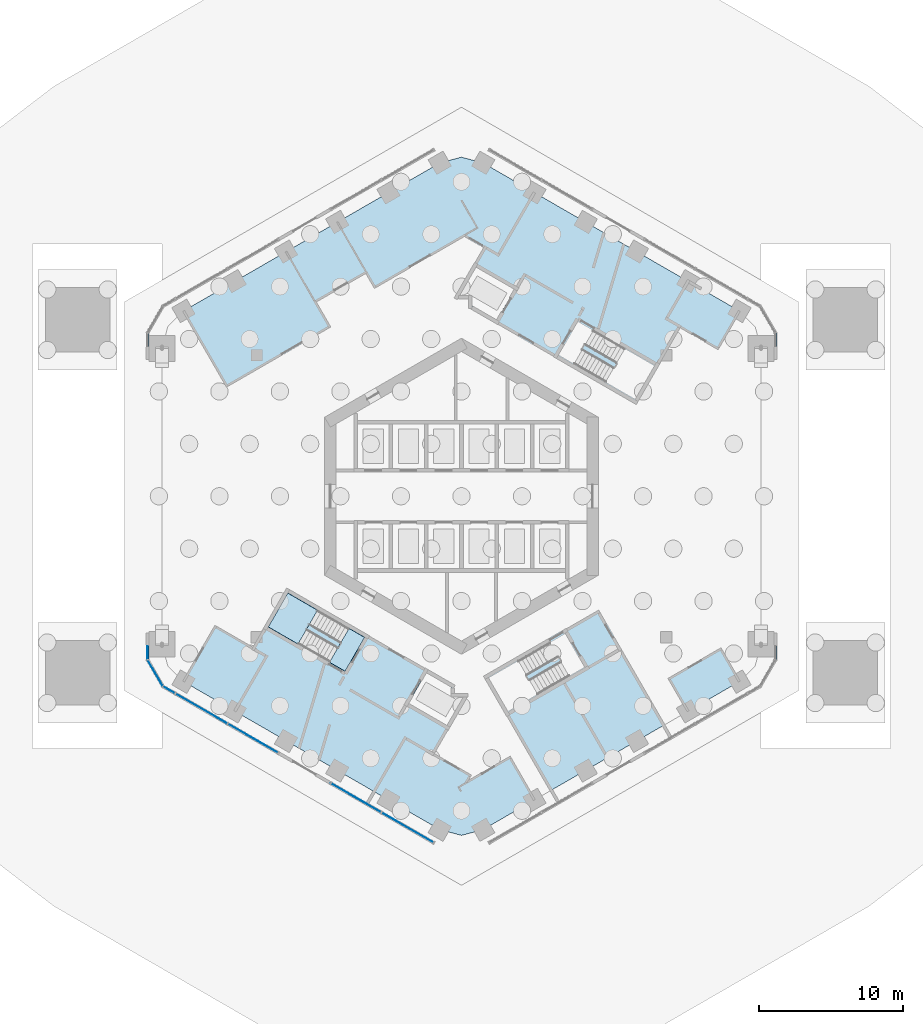
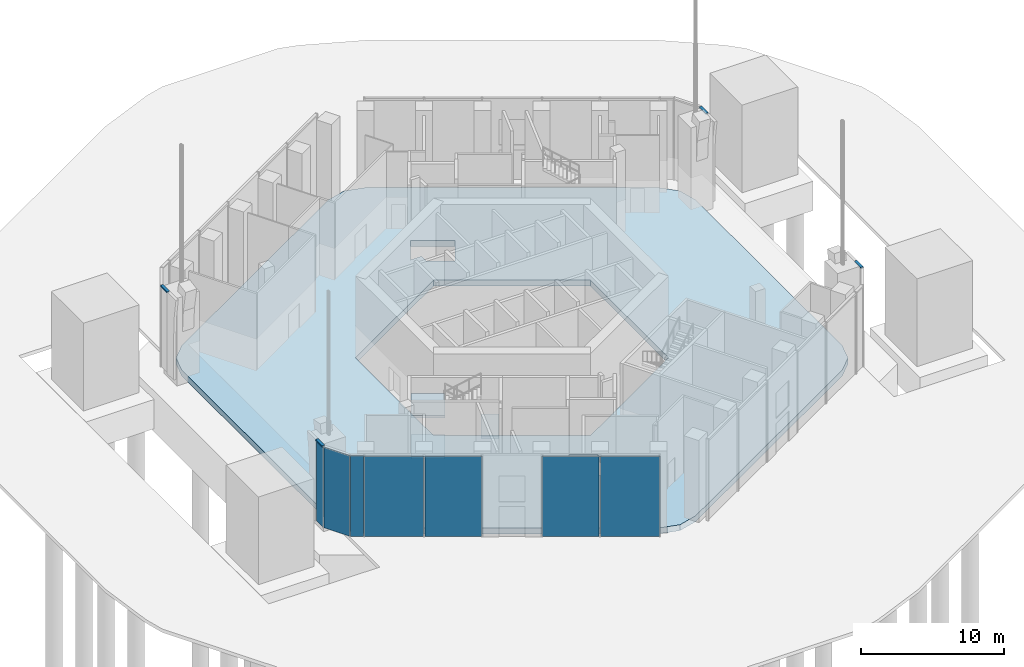
# One storey, part 6 of 18: 7 plates, 4 members, 4 slabs, 7 elements without a shape of their own.
"""IFC4 building model written with IfcOpenShell, lengths in metres."""

from ifc_helpers import new_model, si_unit, direction, frame, origin, origin_2d, place, context, subcontext, project, spatial, polyline, rectangle, outline, extrude, material, layer, layer_set, material_profile, profile_set, type_object, element, aggregate, save


model = new_model("IFC4")

# Units and contexts
model_context = context("Model", 3, precision=1e-05, world=origin(), true_north=direction((0.0, 1.0)))
body_context = subcontext(model_context, "Body", "Model", "MODEL_VIEW")
ifc_project = project(units=[si_unit("LENGTHUNIT", "METRE"), si_unit("AREAUNIT", "SQUARE_METRE"), si_unit("VOLUMEUNIT", "CUBIC_METRE"), si_unit("PLANEANGLEUNIT", "RADIAN"), si_unit("MASSUNIT", "GRAM", prefix="KILO")], contexts=[model_context])

# Site, building, storey
site_placement = place(None, origin())
site = spatial("IfcSite", under=ifc_project, at=site_placement, CompositionType="ELEMENT")
building_placement = place(site_placement, origin())
building = spatial("IfcBuilding", under=site, at=building_placement, Name="Ayvan Gate Tower", CompositionType="ELEMENT")
storey_placement = place(building_placement, origin())
storey = spatial("IfcBuildingStorey", under=building, at=storey_placement, Name="L00", CompositionType="ELEMENT", Elevation=0.0)

# Curtain wall, member
ifc_material_1 = material(Name="Bronze anodised aluminium", Category="aluminium")
ifc_layer_1 = layer(ifc_material_1, 0.199951171875)
ifc_layer_set_1 = layer_set([ifc_layer_1], Name="Bronze anodised aluminium")
curtain_wall_type_1 = type_object("IfcCurtainWallType", Name="Stick curtain wall CW-6", PredefinedType="NOTDEFINED", material=ifc_layer_set_1)
curtain_wall_1_placement = place(storey_placement, origin())
curtain_wall_1 = element("IfcCurtainWall", 1, at=curtain_wall_1_placement, inside=storey, type_object=curtain_wall_type_1, Name="Stick curtain wall CW-6 L00", PredefinedType="NOTDEFINED")
ifc_material_profile = material_profile(ifc_material_1, rectangle(XDim=0.199951171875, YDim=0.1201171875, at=origin_2d()), Name="Stick curtain wall CW-6 transom 200 x 120")
ifc_profile_set = profile_set([ifc_material_profile], Name="Bronze anodised aluminium")
member_type = type_object("IfcMemberType", Name="Stick curtain wall CW-6 transom 200 x 120", PredefinedType="USERDEFINED", material=ifc_profile_set)
member_1_placement = place(storey_placement, frame((-21.78466796875, 11.32470703125, 6.93994140625), z_axis=(0.0, -1.0, 0.0), x_axis=(1.0, 0.0, 0.0)))
member_1 = element("IfcMember", 2, at=member_1_placement, type_object=member_type, Name="CW-6 transom 3", ObjectType="TRANSOM", PredefinedType="USERDEFINED", context=body_context, shape_type="SweptSolid", body=[
    extrude(rectangle(XDim=0.199951171875, YDim=0.1201171875, at=origin_2d()), origin(), (0.0, 0.0, 1.0), 0.925048828125),
])
aggregate(curtain_wall_1, [member_1])

curtain_wall_2_placement = place(storey_placement, origin())
curtain_wall_2 = element("IfcCurtainWall", 3, at=curtain_wall_2_placement, inside=storey, type_object=curtain_wall_type_1, Name="Stick curtain wall CW-6 L00", PredefinedType="NOTDEFINED")
member_2_placement = place(storey_placement, frame((-21.78466796875, -10.399658203125, 6.93994140625), z_axis=(0.0, -1.0, 0.0), x_axis=(1.0, 0.0, 0.0)))
member_2 = element("IfcMember", 4, at=member_2_placement, type_object=member_type, Name="CW-6 transom 1", ObjectType="TRANSOM", PredefinedType="USERDEFINED", context=body_context, shape_type="SweptSolid", body=[
    extrude(rectangle(XDim=0.199951171875, YDim=0.1201171875, at=origin_2d()), origin(), (0.0, 0.0, 1.0), 0.925048828125),
])

curtain_wall_3_placement = place(storey_placement, origin())
curtain_wall_3 = element("IfcCurtainWall", 5, at=curtain_wall_3_placement, inside=storey, type_object=curtain_wall_type_1, Name="Stick curtain wall CW-6 L00", PredefinedType="NOTDEFINED")
member_3_placement = place(storey_placement, frame((21.78466796875, -11.32470703125, 6.93994140625), z_axis=(0.0, 1.0, 0.0), x_axis=(-1.0, 0.0, 0.0)))
member_3 = element("IfcMember", 6, at=member_3_placement, type_object=member_type, Name="CW-6 transom 3", ObjectType="TRANSOM", PredefinedType="USERDEFINED", context=body_context, shape_type="SweptSolid", body=[
    extrude(rectangle(XDim=0.199951171875, YDim=0.1201171875, at=origin_2d()), origin(), (0.0, 0.0, 1.0), 0.925048828125),
])
aggregate(curtain_wall_3, [member_3])

curtain_wall_4_placement = place(storey_placement, origin())
curtain_wall_4 = element("IfcCurtainWall", 7, at=curtain_wall_4_placement, inside=storey, type_object=curtain_wall_type_1, Name="Stick curtain wall CW-6 L00", PredefinedType="NOTDEFINED")
member_4_placement = place(storey_placement, frame((21.78466796875, 10.399658203125, 6.93994140625), z_axis=(0.0, 1.0, 0.0), x_axis=(-1.0, 0.0, 0.0)))
member_4 = element("IfcMember", 8, at=member_4_placement, type_object=member_type, Name="CW-6 transom 1", ObjectType="TRANSOM", PredefinedType="USERDEFINED", context=body_context, shape_type="SweptSolid", body=[
    extrude(rectangle(XDim=0.199951171875, YDim=0.1201171875, at=origin_2d()), origin(), (0.0, 0.0, 1.0), 0.925048828125),
])
aggregate(curtain_wall_4, [member_4])

# Slab
ifc_material_2 = material(Name="Concrete C40/50", Category="concrete")
ifc_layer_2 = layer(ifc_material_2, 0.5)
ifc_layer_set_2 = layer_set([ifc_layer_2], Name="Concrete C40/50")
slab_type_1 = type_object("IfcSlabType", Name="Ground slab 500", PredefinedType="BASESLAB", material=ifc_layer_set_2)
slab_1_placement = place(storey_placement, frame((0.0, 0.0, -0.5)))
element("IfcSlab", 9, at=slab_1_placement, inside=storey, type_object=slab_type_1, Name="SL-L00", PredefinedType="BASESLAB", context=body_context, shape_type="SweptSolid", body=[
    extrude(outline(polyline([(-1.5, 23.134033203125), (0.0, 23.535888671875), (1.5, 23.134033203125), (19.28466796875, 12.865966796875), (20.382568359375, 11.76806640625), (20.78466796875, 10.26806640625), (20.78466796875, -10.26806640625), (20.382568359375, -11.76806640625), (19.28466796875, -12.865966796875), (1.5, -23.134033203125), (0.0, -23.535888671875), (-1.5, -23.134033203125), (-19.28466796875, -12.865966796875), (-20.382568359375, -11.76806640625), (-20.78466796875, -10.26806640625), (-20.78466796875, 10.26806640625), (-20.382568359375, 11.76806640625), (-19.28466796875, 12.865966796875), (-1.5, 23.134033203125)]), holes=[polyline([(-9.5, -5.48486328125), (0.0, -10.9697265625), (9.5, -5.48486328125), (9.5, 5.48486328125), (0.0, 10.9697265625), (-9.5, 5.48486328125), (-9.5, -5.48486328125)]), polyline([(-0.16748046875, 13.909912109375), (0.699951171875, 13.909912109375), (0.699951171875, 13.221435546875), (2.435791015625, 12.218994140625), (3.685791015625, 14.38427734375), (1.001220703125, 15.93408203125), (-0.16748046875, 13.909912109375)]), polyline([(-3.685791015625, -14.38427734375), (-1.001220703125, -15.93408203125), (0.16748046875, -13.909912109375), (-0.699951171875, -13.909912109375), (-0.699951171875, -13.221435546875), (-2.435791015625, -12.218994140625), (-3.685791015625, -14.38427734375)])]), origin(), (0.0, 0.0, 1.0), 0.5),
])

# Stair, slabs
stair_type = type_object("IfcStairType", Name="ST-EXIT", PredefinedType="HALF_TURN_STAIR", material=ifc_material_2)
stair_placement = place(storey_placement, origin())
stair = element("IfcStair", 10, at=stair_placement, inside=storey, type_object=stair_type, Name="L00 Exit Stair S2", PredefinedType="HALF_TURN_STAIR")
ifc_layer_3 = layer(ifc_material_2, 0.199951171875)
ifc_layer_set_3 = layer_set([ifc_layer_3], Name="Concrete C40/50")
slab_type_2 = type_object("IfcSlabType", Name="SL-LANDING-200", PredefinedType="LANDING", material=ifc_layer_set_3)
slab_2_placement = place(storey_placement, frame((0.0, 0.0, 1.550048828125)))
slab_2 = element("IfcSlab", 11, at=slab_2_placement, type_object=slab_type_2, Name="STS2 landing 1", PredefinedType="LANDING", context=body_context, shape_type="SweptSolid", body=[
    extrude(outline(polyline([(-9.988525390625, -7.91064453125), (-12.049560546875, -6.720458984375), (-13.404541015625, -9.0673828125), (-11.343505859375, -10.257568359375), (-9.988525390625, -7.91064453125)])), origin(), (0.0, 0.0, 1.0), 0.199951171875),
])
slab_3_placement = place(storey_placement, frame((0.0, 0.0, 3.300048828125)))
slab_3 = element("IfcSlab", 12, at=slab_3_placement, type_object=slab_type_2, Name="STS2 landing 2", PredefinedType="LANDING", context=body_context, shape_type="SweptSolid", body=[
    extrude(outline(polyline([(-6.7236328125, -9.795654296875), (-7.80615234375, -9.170654296875), (-9.1611328125, -11.517578125), (-8.07861328125, -12.142578125), (-6.7236328125, -9.795654296875)])), origin(), (0.0, 0.0, 1.0), 0.199951171875),
])
slab_4_placement = place(storey_placement, frame((0.0, 0.0, 5.050048828125)))
slab_4 = element("IfcSlab", 13, at=slab_4_placement, type_object=slab_type_2, Name="STS2 landing 3", PredefinedType="LANDING", context=body_context, shape_type="SweptSolid", body=[
    extrude(outline(polyline([(-9.988525390625, -7.91064453125), (-12.049560546875, -6.720458984375), (-13.404541015625, -9.0673828125), (-11.343505859375, -10.257568359375), (-9.988525390625, -7.91064453125)])), origin(), (0.0, 0.0, 1.0), 0.199951171875),
])
aggregate(stair, [slab_2, slab_3, slab_4])

# Curtain wall, plates
ifc_layer_4 = layer(ifc_material_1, 0.199951171875)
ifc_layer_set_4 = layer_set([ifc_layer_4], Name="Bronze anodised aluminium")
curtain_wall_type_2 = type_object("IfcCurtainWallType", Name="Stick curtain wall CW-3", PredefinedType="NOTDEFINED", material=ifc_layer_set_4)
curtain_wall_5_placement = place(storey_placement, origin())
curtain_wall_5 = element("IfcCurtainWall", 14, at=curtain_wall_5_placement, inside=storey, type_object=curtain_wall_type_2, Name="Stick curtain wall CW-3 L00", PredefinedType="NOTDEFINED")
ifc_material_3 = material(Name="Clear low-iron laminated glass", Category="glass")
ifc_layer_5 = layer(ifc_material_3, 0.028076171875)
ifc_layer_set_5 = layer_set([ifc_layer_5], Name="Clear low-iron laminated glass")
plate_type_1 = type_object("IfcPlateType", Name="Stick curtain wall CW-3 glass panel", PredefinedType="CURTAIN_PANEL", material=ifc_layer_set_5)
plate_1_placement = place(storey_placement, frame((-18.06298828125, -14.72607421875, 0.0), z_axis=(0.0, 0.0, 1.0), x_axis=(0.866025403784, -0.5, 0.0)))
plate_1 = element("IfcPlate", 15, at=plate_1_placement, type_object=plate_type_1, Name="CW-3 glass panel 1", PredefinedType="CURTAIN_PANEL", context=body_context, shape_type="SweptSolid", body=[
    extrude(rectangle(XDim=4.138916015625, YDim=0.028076171875, at=origin_2d()), origin(), (0.0, 0.0, 1.0), 6.840087890625),
])
plate_2_placement = place(storey_placement, frame((-14.44921875, -16.8125, 0.0), z_axis=(0.0, 0.0, 1.0), x_axis=(0.866025403784, -0.5, 0.0)))
plate_2 = element("IfcPlate", 16, at=plate_2_placement, type_object=plate_type_1, Name="CW-3 glass panel 2", PredefinedType="CURTAIN_PANEL", context=body_context, shape_type="SweptSolid", body=[
    extrude(rectangle(XDim=4.007080078125, YDim=0.028076171875, at=origin_2d()), origin(), (0.0, 0.0, 1.0), 6.840087890625),
])
aggregate(curtain_wall_5, [plate_1, plate_2])

curtain_wall_6_placement = place(storey_placement, origin())
curtain_wall_6 = element("IfcCurtainWall", 17, at=curtain_wall_6_placement, inside=storey, type_object=curtain_wall_type_2, Name="Stick curtain wall CW-3 L00", PredefinedType="NOTDEFINED")
plate_3_placement = place(storey_placement, frame((-7.335693359375, -20.91943359375, 0.0), z_axis=(0.0, 0.0, 1.0), x_axis=(0.866025403784, -0.5, 0.0)))
plate_3 = element("IfcPlate", 18, at=plate_3_placement, type_object=plate_type_1, Name="CW-3 glass panel 1", PredefinedType="CURTAIN_PANEL", context=body_context, shape_type="SweptSolid", body=[
    extrude(rectangle(XDim=4.007080078125, YDim=0.028076171875, at=origin_2d()), origin(), (0.0, 0.0, 1.0), 6.840087890625),
])
plate_4_placement = place(storey_placement, frame((-3.7216796875, -23.006103515625, 0.0), z_axis=(0.0, 0.0, 1.0), x_axis=(0.866025403784, -0.5, 0.0)))
plate_4 = element("IfcPlate", 19, at=plate_4_placement, type_object=plate_type_1, Name="CW-3 glass panel 2", PredefinedType="CURTAIN_PANEL", context=body_context, shape_type="SweptSolid", body=[
    extrude(rectangle(XDim=4.13916015625, YDim=0.028076171875, at=origin_2d()), origin(), (0.0, 0.0, 1.0), 6.840087890625),
])
aggregate(curtain_wall_6, [plate_3, plate_4])

# Plate
ifc_layer_6 = layer(ifc_material_3, 0.028076171875)
ifc_layer_set_6 = layer_set([ifc_layer_6], Name="Clear low-iron laminated glass")
plate_type_2 = type_object("IfcPlateType", Name="Stick curtain wall CW-6 glass panel", PredefinedType="CURTAIN_PANEL", material=ifc_layer_set_6)
plate_5_placement = place(storey_placement, frame((-21.78466796875, -10.862060546875, 0.0), z_axis=(0.0, 0.0, 1.0), x_axis=(0.0, -1.0, 0.0)))
plate_5 = element("IfcPlate", 20, at=plate_5_placement, type_object=plate_type_2, Name="CW-6 glass panel 1", PredefinedType="CURTAIN_PANEL", context=body_context, shape_type="SweptSolid", body=[
    extrude(rectangle(XDim=0.925048828125, YDim=0.028076171875, at=origin_2d()), origin(), (0.0, 0.0, 1.0), 6.8798828125),
])

plate_6_placement = place(storey_placement, frame((-21.2529296875, -12.2705078125, 0.0), z_axis=(0.0, 0.0, 1.0), x_axis=(0.5, -0.866025403784, 0.0)))
plate_6 = element("IfcPlate", 21, at=plate_6_placement, type_object=plate_type_2, Name="CW-6 glass panel 2", PredefinedType="CURTAIN_PANEL", context=body_context, shape_type="SweptSolid", body=[
    extrude(rectangle(XDim=2.076416015625, YDim=0.028076171875, at=origin_2d()), origin(), (0.0, 0.0, 1.0), 6.8798828125),
])

plate_7_placement = place(storey_placement, frame((-20.299072265625, -13.43505859375, 0.0), z_axis=(0.0, 0.0, 1.0), x_axis=(0.866025403784, -0.5, 0.0)))
plate_7 = element("IfcPlate", 22, at=plate_7_placement, type_object=plate_type_2, Name="CW-6 glass panel 3", PredefinedType="CURTAIN_PANEL", context=body_context, shape_type="SweptSolid", body=[
    extrude(rectangle(XDim=0.925048828125, YDim=0.028076171875, at=origin_2d()), origin(), (0.0, 0.0, 1.0), 6.8798828125),
])

aggregate(curtain_wall_2, [member_2, plate_5, plate_6, plate_7])

save(model, "model.ifc")
